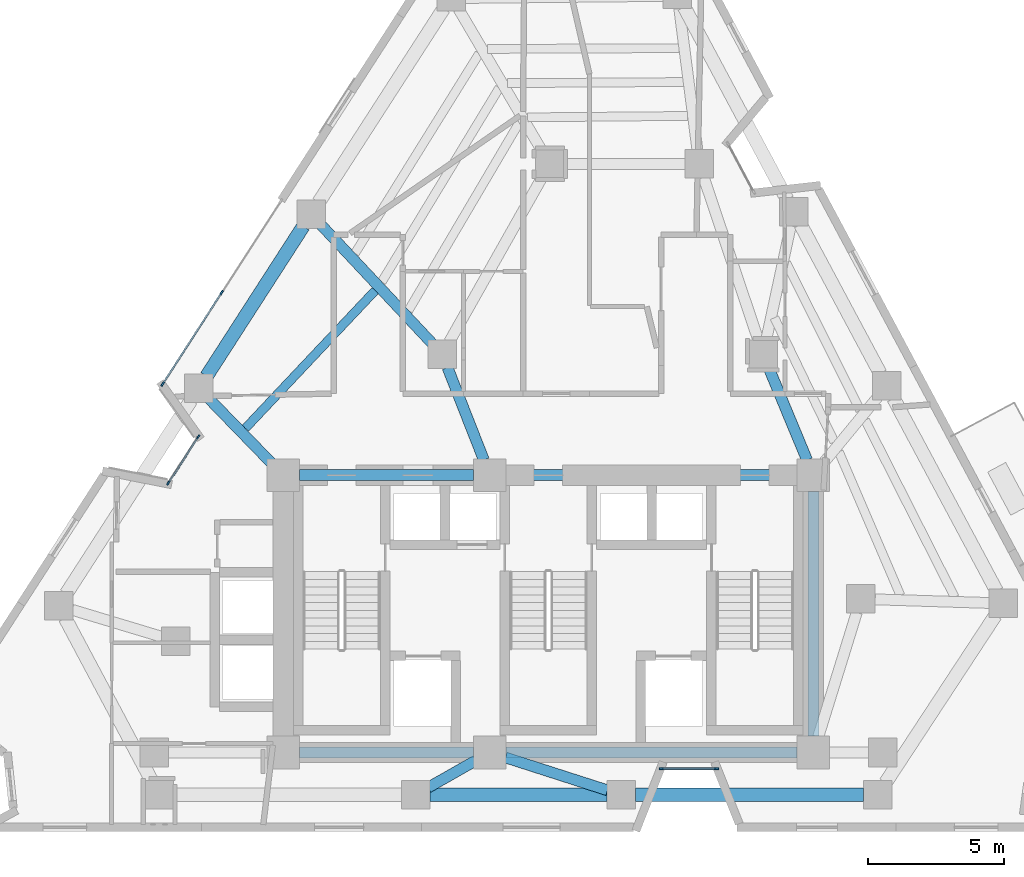
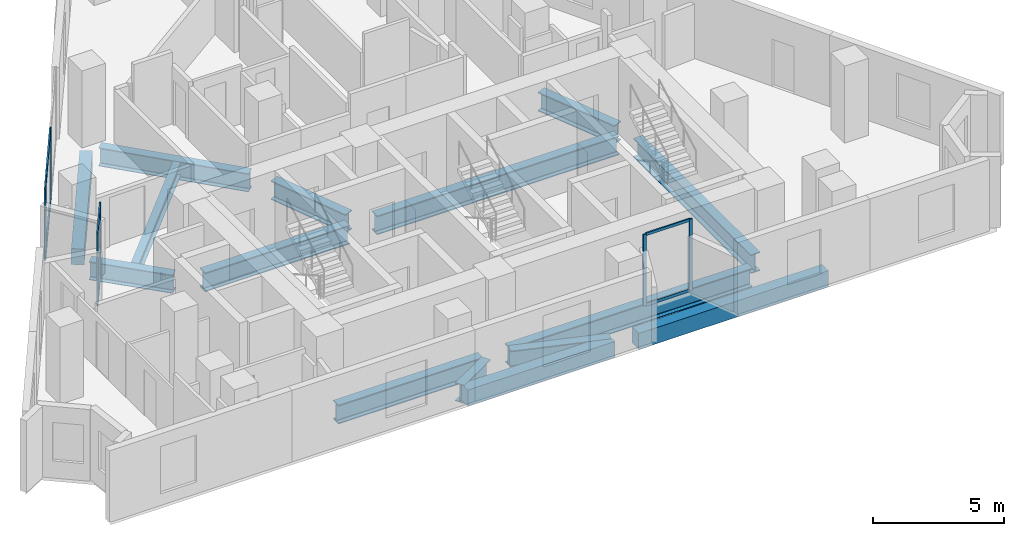
# One storey, part 2 of 11: 15 beams, 12 members, 3 elements without a shape of their own.
"""IFC4 building model written with IfcOpenShell, lengths in metres."""

from ifc_helpers import new_model, si_unit, direction, frame, origin, origin_2d, place, context, subcontext, project, spatial, rectangle, i_section, extrude, material, layer, layer_set, material_profile, profile_set, type_object, element, aggregate, save


model = new_model("IFC4")

# Units and contexts
model_context = context("Model", 3, precision=1e-05, world=origin(), true_north=direction((0.0, 1.0)))
body_context = subcontext(model_context, "Body", "Model", "MODEL_VIEW")
ifc_project = project(units=[si_unit("LENGTHUNIT", "METRE"), si_unit("AREAUNIT", "SQUARE_METRE"), si_unit("VOLUMEUNIT", "CUBIC_METRE"), si_unit("PLANEANGLEUNIT", "RADIAN"), si_unit("MASSUNIT", "GRAM", prefix="KILO")], contexts=[model_context])

# Site, building, storey
site_placement = place(None, origin())
site = spatial("IfcSite", under=ifc_project, at=site_placement, CompositionType="ELEMENT")
building_placement = place(site_placement, origin())
building = spatial("IfcBuilding", under=site, at=building_placement, Name="Almagre Mirador Tower", CompositionType="ELEMENT")
storey_placement = place(building_placement, frame((0.0, 0.0, 189.60009765625)))
storey = spatial("IfcBuildingStorey", under=building, at=storey_placement, Name="L49", CompositionType="ELEMENT", Elevation=189.60009765625)

# Beams
ifc_material_1 = material(Name="Steel ASTM A992 Grade 50", Category="steel")
ifc_material_profile_1 = material_profile(ifc_material_1, i_section(OverallWidth=0.323974609375, OverallDepth=0.611083984375, WebThickness=0.0126953125, FlangeThickness=0.01904296875, FilletRadius=0.02001953125, at=origin_2d()), Name="W24X104")
ifc_profile_set_1 = profile_set([ifc_material_profile_1], Name="Steel ASTM A992 Grade 50")
beam_type_1 = type_object("IfcBeamType", Name="BM-JST-W24X104", PredefinedType="JOIST", material=ifc_profile_set_1)
beam_1_placement = place(storey_placement, frame((30.931396484375, 21.5419921875, -0.5556640625), z_axis=(-0.685923256334, -0.727673887411, 0.0), x_axis=(0.727673887411, -0.685923256334, 0.0)))
element("IfcBeam", 1, at=beam_1_placement, inside=storey, type_object=beam_type_1, Name="L49 secondary floor joist PC10-PC11.2", PredefinedType="JOIST", context=body_context, shape_type="SweptSolid", body=[
    extrude(i_section(OverallWidth=0.323974609375, OverallDepth=0.611083984375, WebThickness=0.0126953125, FlangeThickness=0.01904296875, FilletRadius=0.02001953125, at=origin_2d()), origin(), (0.0, 0.0, 1.0), 6.964599609375),
])
ifc_material_2 = material(Name="Precast concrete C50/60", Category="concrete")
ifc_material_profile_2 = material_profile(ifc_material_2, rectangle(XDim=0.5, YDim=0.75, at=origin_2d()), Name="RC500X750")
ifc_profile_set_2 = profile_set([ifc_material_profile_2], Name="Precast concrete C50/60")
beam_type_2 = type_object("IfcBeamType", Name="BM-SPN-RC500X750", PredefinedType="SPANDREL", material=ifc_profile_set_2)
beam_2_placement = place(storey_placement, frame((32.948974609375, 3.0, -0.625), z_axis=(1.0, 0.0, 0.0), x_axis=(0.0, 1.0, 0.0)))
element("IfcBeam", 2, at=beam_2_placement, inside=storey, type_object=beam_type_2, Name="L49 perimeter spandrel beam PC02-PC03", PredefinedType="SPANDREL", context=body_context, shape_type="SweptSolid", body=[
    extrude(rectangle(XDim=0.5, YDim=0.75, at=origin_2d()), origin(), (0.0, 0.0, 1.0), 6.501953125),
])
beam_3_placement = place(storey_placement, frame((40.5009765625, 3.0, -0.625), z_axis=(1.0, 0.0, 0.0), x_axis=(0.0, 1.0, 0.0)))
element("IfcBeam", 3, at=beam_3_placement, inside=storey, type_object=beam_type_2, Name="L49 perimeter spandrel beam PC03-PC04", PredefinedType="SPANDREL", context=body_context, shape_type="SweptSolid", body=[
    extrude(rectangle(XDim=0.5, YDim=0.75, at=origin_2d()), origin(), (0.0, 0.0, 1.0), 8.39013671875),
])
beam_4_placement = place(storey_placement, frame((28.287353515625, 23.90869140625, -0.625), z_axis=(-0.542031160538, -0.840358388431, 0.0), x_axis=(0.840358388431, -0.542031160538, 0.0)))
element("IfcBeam", 4, at=beam_4_placement, inside=storey, type_object=beam_type_2, Name="L49 perimeter spandrel beam PC10-PC11", PredefinedType="SPANDREL", context=body_context, shape_type="SweptSolid", body=[
    extrude(rectangle(XDim=0.5, YDim=0.75, at=origin_2d()), origin(), (0.0, 0.0, 1.0), 6.565673828125),
])
ifc_material_3 = material(Name="Steel ASTM A992 Grade 50", Category="steel")
ifc_material_profile_3 = material_profile(ifc_material_3, i_section(OverallWidth=0.39892578125, OverallDepth=0.85595703125, WebThickness=0.018310546875, FlangeThickness=0.029296875, FilletRadius=0.02490234375, at=origin_2d()), Name="W33X201")
ifc_profile_set_3 = profile_set([ifc_material_profile_3], Name="Steel ASTM A992 Grade 50")
beam_type_3 = type_object("IfcBeamType", Name="BM-STL-W33X201", PredefinedType="BEAM", material=ifc_profile_set_3)
beam_5_placement = place(storey_placement, frame((32.88037109375, 3.259521484375, -0.677978515625), z_axis=(0.869309554044, 0.494268043927, 0.0), x_axis=(-0.494268043927, 0.869309554044, 0.0)))
element("IfcBeam", 5, at=beam_5_placement, inside=storey, type_object=beam_type_3, Name="L49 radial floor girder PC02-CC2", PredefinedType="BEAM", context=body_context, shape_type="SweptSolid", body=[
    extrude(i_section(OverallWidth=0.39892578125, OverallDepth=0.85595703125, WebThickness=0.018310546875, FlangeThickness=0.029296875, FilletRadius=0.02490234375, at=origin_2d()), origin(), (0.0, 0.0, 1.0), 2.0107421875),
])
beam_6_placement = place(storey_placement, frame((39.47607421875, 3.160400390625, -0.677978515625), z_axis=(-0.952092949621, 0.30580878876, 0.0), x_axis=(-0.30580878876, -0.952092949621, 0.0)))
element("IfcBeam", 6, at=beam_6_placement, inside=storey, type_object=beam_type_3, Name="L49 radial floor girder PC03-CC2", PredefinedType="BEAM", context=body_context, shape_type="SweptSolid", body=[
    extrude(i_section(OverallWidth=0.39892578125, OverallDepth=0.85595703125, WebThickness=0.018310546875, FlangeThickness=0.029296875, FilletRadius=0.02490234375, at=origin_2d()), origin(), (0.0, 0.0, 1.0), 3.94384765625),
])
beam_7_placement = place(storey_placement, frame((28.93115234375, 23.967041015625, -0.677978515625), z_axis=(0.683926262896, -0.729551140717, 0.0), x_axis=(0.729551140717, 0.683926262896, 0.0)))
element("IfcBeam", 7, at=beam_7_placement, inside=storey, type_object=beam_type_3, Name="L49 radial floor girder PC10-MC8", PredefinedType="BEAM", context=body_context, shape_type="SweptSolid", body=[
    extrude(i_section(OverallWidth=0.39892578125, OverallDepth=0.85595703125, WebThickness=0.018310546875, FlangeThickness=0.029296875, FilletRadius=0.02490234375, at=origin_2d()), origin(), (0.0, 0.0, 1.0), 6.00927734375),
])
beam_8_placement = place(storey_placement, frame((24.809814453125, 17.5732421875, -0.677978515625), z_axis=(0.69644765499, -0.717607597409, 0.0), x_axis=(0.717607597409, 0.69644765499, 0.0)))
element("IfcBeam", 8, at=beam_8_placement, inside=storey, type_object=beam_type_3, Name="L49 radial floor girder PC11-CC4", PredefinedType="BEAM", context=body_context, shape_type="SweptSolid", body=[
    extrude(i_section(OverallWidth=0.39892578125, OverallDepth=0.85595703125, WebThickness=0.018310546875, FlangeThickness=0.029296875, FilletRadius=0.02490234375, at=origin_2d()), origin(), (0.0, 0.0, 1.0), 3.33447265625),
])
ifc_material_4 = material(Name="Steel ASTM A992 Grade 50", Category="steel")
ifc_material_profile_4 = material_profile(ifc_material_4, i_section(OverallWidth=0.404052734375, OverallDepth=0.884033203125, WebThickness=0.0244140625, FlangeThickness=0.0439453125, FilletRadius=0.02490234375, at=origin_2d()), Name="W33X291")
ifc_profile_set_4 = profile_set([ifc_material_profile_4], Name="Steel ASTM A992 Grade 50")
beam_type_4 = type_object("IfcBeamType", Name="BM-STL-W33X291", PredefinedType="BEAM", material=ifc_profile_set_4)
beam_9_placement = place(storey_placement, frame((28.14990234375, 4.550048828125, -0.692138671875), z_axis=(1.0, 0.0, 0.0), x_axis=(0.0, 1.0, 0.0)))
element("IfcBeam", 9, at=beam_9_placement, inside=storey, type_object=beam_type_4, Name="L49 core tie girder CC1-CC2", PredefinedType="BEAM", context=body_context, shape_type="SweptSolid", body=[
    extrude(i_section(OverallWidth=0.404052734375, OverallDepth=0.884033203125, WebThickness=0.0244140625, FlangeThickness=0.0439453125, FilletRadius=0.02490234375, at=origin_2d()), origin(), (0.0, 0.0, 1.0), 6.400146484375),
])
beam_10_placement = place(storey_placement, frame((35.75, 4.550048828125, -0.692138671875), z_axis=(1.0, 0.0, 0.0), x_axis=(0.0, 1.0, 0.0)))
element("IfcBeam", 10, at=beam_10_placement, inside=storey, type_object=beam_type_4, Name="L49 core tie girder CC2-CC3", PredefinedType="BEAM", context=body_context, shape_type="SweptSolid", body=[
    extrude(i_section(OverallWidth=0.404052734375, OverallDepth=0.884033203125, WebThickness=0.0244140625, FlangeThickness=0.0439453125, FilletRadius=0.02490234375, at=origin_2d()), origin(), (0.0, 0.0, 1.0), 10.699951171875),
])
beam_11_placement = place(storey_placement, frame((28.14990234375, 14.75, -0.692138671875), z_axis=(1.0, 0.0, 0.0), x_axis=(0.0, 1.0, 0.0)))
element("IfcBeam", 11, at=beam_11_placement, inside=storey, type_object=beam_type_4, Name="L49 core tie girder CC4-CC5", PredefinedType="BEAM", context=body_context, shape_type="SweptSolid", body=[
    extrude(i_section(OverallWidth=0.404052734375, OverallDepth=0.884033203125, WebThickness=0.0244140625, FlangeThickness=0.0439453125, FilletRadius=0.02490234375, at=origin_2d()), origin(), (0.0, 0.0, 1.0), 6.400146484375),
])
beam_12_placement = place(storey_placement, frame((35.75, 14.75, -0.692138671875), z_axis=(1.0, 0.0, 0.0), x_axis=(0.0, 1.0, 0.0)))
element("IfcBeam", 12, at=beam_12_placement, inside=storey, type_object=beam_type_4, Name="L49 core tie girder CC5-CC6", PredefinedType="BEAM", context=body_context, shape_type="SweptSolid", body=[
    extrude(i_section(OverallWidth=0.404052734375, OverallDepth=0.884033203125, WebThickness=0.0244140625, FlangeThickness=0.0439453125, FilletRadius=0.02490234375, at=origin_2d()), origin(), (0.0, 0.0, 1.0), 10.699951171875),
])
beam_13_placement = place(storey_placement, frame((47.050048828125, 5.14990234375, -0.692138671875), z_axis=(0.0, 1.0, 0.0), x_axis=(-1.0, 0.0, 0.0)))
element("IfcBeam", 13, at=beam_13_placement, inside=storey, type_object=beam_type_4, Name="L49 core tie girder CC3-CC6", PredefinedType="BEAM", context=body_context, shape_type="SweptSolid", body=[
    extrude(i_section(OverallWidth=0.404052734375, OverallDepth=0.884033203125, WebThickness=0.0244140625, FlangeThickness=0.0439453125, FilletRadius=0.02490234375, at=origin_2d()), origin(), (0.0, 0.0, 1.0), 9.0),
])
beam_14_placement = place(storey_placement, frame((45.401611328125, 18.715087890625, -0.692138671875), z_axis=(0.383845645019, -0.923397271384, 0.0), x_axis=(0.923397271384, 0.383845645019, 0.0)))
element("IfcBeam", 14, at=beam_14_placement, inside=storey, type_object=beam_type_4, Name="L49 core tie girder MC5-CC6", PredefinedType="BEAM", context=body_context, shape_type="SweptSolid", body=[
    extrude(i_section(OverallWidth=0.404052734375, OverallDepth=0.884033203125, WebThickness=0.0244140625, FlangeThickness=0.0439453125, FilletRadius=0.02490234375, at=origin_2d()), origin(), (0.0, 0.0, 1.0), 3.694091796875),
])
beam_15_placement = place(storey_placement, frame((33.592041015625, 18.71142578125, -0.692138671875), z_axis=(0.365997304164, -0.930615910752, 0.0), x_axis=(0.930615910752, 0.365997304164, 0.0)))
element("IfcBeam", 15, at=beam_15_placement, inside=storey, type_object=beam_type_4, Name="L49 core tie girder MC8-CC5", PredefinedType="BEAM", context=body_context, shape_type="SweptSolid", body=[
    extrude(i_section(OverallWidth=0.404052734375, OverallDepth=0.884033203125, WebThickness=0.0244140625, FlangeThickness=0.0439453125, FilletRadius=0.02490234375, at=origin_2d()), origin(), (0.0, 0.0, 1.0), 3.65673828125),
])

# Curtain wall, members
ifc_material_5 = material(Name="Black anodized aluminium", Category="aluminium")
ifc_layer_1 = layer(ifc_material_5, 0.169921875)
ifc_layer_set_1 = layer_set([ifc_layer_1], Name="Black anodized aluminium")
curtain_wall_type_1 = type_object("IfcCurtainWallType", Name="CW-CRS-SYS", PredefinedType="NOTDEFINED", material=ifc_layer_set_1)
curtain_wall_1_placement = place(storey_placement, origin())
curtain_wall_1 = element("IfcCurtainWall", 16, at=curtain_wall_1_placement, inside=storey, type_object=curtain_wall_type_1, Name="L49 vertical crease curtain wall 01", PredefinedType="NOTDEFINED")
ifc_material_6 = material(Name="Black anodized aluminium", Category="aluminium")
ifc_material_profile_5 = material_profile(ifc_material_6, rectangle(XDim=0.06005859375, YDim=0.14990234375, at=origin_2d()), Name="CWM60X150")
ifc_profile_set_5 = profile_set([ifc_material_profile_5], Name="Black anodized aluminium")
member_type_1 = type_object("IfcMemberType", Name="MBR-CWM60X150", PredefinedType="MULLION", material=ifc_profile_set_5)
member_1_placement = place(storey_placement, frame((23.322265625, 14.457275390625, 0.0), z_axis=(0.0, 0.0, 1.0), x_axis=(-0.840275552061, 0.542159567478, 0.0)))
member_1 = element("IfcMember", 17, at=member_1_placement, type_object=member_type_1, Name="CW-4 mullion 1", PredefinedType="MULLION", context=body_context, shape_type="SweptSolid", body=[
    extrude(rectangle(XDim=0.06005859375, YDim=0.14990234375, at=origin_2d()), origin(), (0.0, 0.0, 1.0), 3.349853515625),
])
member_2_placement = place(storey_placement, frame((24.4228515625, 16.162841796875, 0.0), z_axis=(0.0, 0.0, 1.0), x_axis=(-0.840275552061, 0.542159567478, 0.0)))
member_2 = element("IfcMember", 18, at=member_2_placement, type_object=member_type_1, Name="CW-4 mullion 2", PredefinedType="MULLION", context=body_context, shape_type="SweptSolid", body=[
    extrude(rectangle(XDim=0.06005859375, YDim=0.14990234375, at=origin_2d()), origin(), (0.0, 0.0, 1.0), 3.349853515625),
])

curtain_wall_2_placement = place(storey_placement, origin())
curtain_wall_2 = element("IfcCurtainWall", 19, at=curtain_wall_2_placement, inside=storey, type_object=curtain_wall_type_1, Name="L49 vertical crease curtain wall 04", PredefinedType="NOTDEFINED")
member_3_placement = place(storey_placement, frame((43.487060546875, 3.949951171875, 0.0), z_axis=(0.0, 0.0, 1.0), x_axis=(0.0, -1.0, 0.0)))
member_3 = element("IfcMember", 20, at=member_3_placement, type_object=member_type_1, Name="CW-4 mullion 1", PredefinedType="MULLION", context=body_context, shape_type="SweptSolid", body=[
    extrude(rectangle(XDim=0.06005859375, YDim=0.14990234375, at=origin_2d()), origin(), (0.0, 0.0, 1.0), 3.349853515625),
])
member_4_placement = place(storey_placement, frame((41.45703125, 3.949951171875, 0.0), z_axis=(0.0, 0.0, 1.0), x_axis=(0.0, -1.0, 0.0)))
member_4 = element("IfcMember", 21, at=member_4_placement, type_object=member_type_1, Name="CW-4 mullion 2", PredefinedType="MULLION", context=body_context, shape_type="SweptSolid", body=[
    extrude(rectangle(XDim=0.06005859375, YDim=0.14990234375, at=origin_2d()), origin(), (0.0, 0.0, 1.0), 3.349853515625),
])

ifc_material_7 = material(Name="Black anodized aluminium", Category="aluminium")
ifc_layer_2 = layer(ifc_material_7, 0.199951171875)
ifc_layer_set_2 = layer_set([ifc_layer_2], Name="Black anodized aluminium")
curtain_wall_type_2 = type_object("IfcCurtainWallType", Name="CW-RES-H-SYS", PredefinedType="NOTDEFINED", material=ifc_layer_set_2)
curtain_wall_3_placement = place(storey_placement, origin())
curtain_wall_3 = element("IfcCurtainWall", 22, at=curtain_wall_3_placement, inside=storey, type_object=curtain_wall_type_2, Name="L49 curtain wall run 02", PredefinedType="NOTDEFINED")
ifc_material_8 = material(Name="Black anodized aluminium", Category="aluminium")
ifc_material_profile_6 = material_profile(ifc_material_8, rectangle(XDim=0.06494140625, YDim=0.179931640625, at=origin_2d()), Name="CWM65X180")
ifc_profile_set_6 = profile_set([ifc_material_profile_6], Name="Black anodized aluminium")
member_type_2 = type_object("IfcMemberType", Name="MBR-CWM65X180", PredefinedType="MULLION", material=ifc_profile_set_6)
member_5_placement = place(storey_placement, frame((23.113525390625, 18.099365234375, 0.0), z_axis=(0.0, 0.0, 1.0), x_axis=(-0.8403699469, 0.542013240011, 0.0)))
member_5 = element("IfcMember", 23, at=member_5_placement, type_object=member_type_2, Name="CW-3 mullion 1", PredefinedType="MULLION", context=body_context, shape_type="SweptSolid", body=[
    extrude(rectangle(XDim=0.06494140625, YDim=0.179931640625, at=origin_2d()), origin(), (0.0, 0.0, 1.0), 3.349853515625),
])
member_6_placement = place(storey_placement, frame((25.285400390625, 21.466552734375, 0.0), z_axis=(0.0, 0.0, 1.0), x_axis=(-0.8403699469, 0.542013240011, 0.0)))
member_6 = element("IfcMember", 24, at=member_6_placement, type_object=member_type_2, Name="CW-3 mullion 2", PredefinedType="MULLION", context=body_context, shape_type="SweptSolid", body=[
    extrude(rectangle(XDim=0.06494140625, YDim=0.179931640625, at=origin_2d()), origin(), (0.0, 0.0, 1.0), 3.349853515625),
])

# Member
ifc_material_9 = material(Name="Black anodized aluminium", Category="aluminium")
ifc_material_profile_7 = material_profile(ifc_material_9, rectangle(XDim=0.06005859375, YDim=0.1298828125, at=origin_2d()), Name="CWT60X130")
ifc_profile_set_7 = profile_set([ifc_material_profile_7], Name="Black anodized aluminium")
member_type_3 = type_object("IfcMemberType", Name="MBR-CWT60X130", PredefinedType="USERDEFINED", material=ifc_profile_set_7)
member_7_placement = place(storey_placement, frame((23.338623046875, 14.482421875, 0.02978515625), z_axis=(0.542109931662, 0.840307575828, 0.0), x_axis=(-0.840307575828, 0.542109931662, 0.0)))
member_7 = element("IfcMember", 25, at=member_7_placement, type_object=member_type_3, Name="CW-4 transom 1.1", ObjectType="TRANSOM", PredefinedType="USERDEFINED", context=body_context, shape_type="SweptSolid", body=[
    extrude(rectangle(XDim=0.06005859375, YDim=0.1298828125, at=origin_2d()), origin(), (0.0, 0.0, 1.0), 1.9697265625),
])

member_8_placement = place(storey_placement, frame((23.338623046875, 14.482421875, 3.31982421875), z_axis=(0.542109931662, 0.840307575828, 0.0), x_axis=(-0.840307575828, 0.542109931662, 0.0)))
member_8 = element("IfcMember", 26, at=member_8_placement, type_object=member_type_3, Name="CW-4 transom 1.2", ObjectType="TRANSOM", PredefinedType="USERDEFINED", context=body_context, shape_type="SweptSolid", body=[
    extrude(rectangle(XDim=0.06005859375, YDim=0.1298828125, at=origin_2d()), origin(), (0.0, 0.0, 1.0), 1.9697265625),
])

aggregate(curtain_wall_1, [member_1, member_2, member_7, member_8])

member_9_placement = place(storey_placement, frame((43.45703125, 3.949951171875, 0.02978515625), z_axis=(-1.0, 0.0, 0.0), x_axis=(0.0, -1.0, 0.0)))
member_9 = element("IfcMember", 27, at=member_9_placement, type_object=member_type_3, Name="CW-4 transom 1.1", ObjectType="TRANSOM", PredefinedType="USERDEFINED", context=body_context, shape_type="SweptSolid", body=[
    extrude(rectangle(XDim=0.06005859375, YDim=0.1298828125, at=origin_2d()), origin(), (0.0, 0.0, 1.0), 1.969970703125),
])

member_10_placement = place(storey_placement, frame((43.45703125, 3.949951171875, 3.31982421875), z_axis=(-1.0, 0.0, 0.0), x_axis=(0.0, -1.0, 0.0)))
member_10 = element("IfcMember", 28, at=member_10_placement, type_object=member_type_3, Name="CW-4 transom 1.2", ObjectType="TRANSOM", PredefinedType="USERDEFINED", context=body_context, shape_type="SweptSolid", body=[
    extrude(rectangle(XDim=0.06005859375, YDim=0.1298828125, at=origin_2d()), origin(), (0.0, 0.0, 1.0), 1.969970703125),
])

aggregate(curtain_wall_2, [member_3, member_4, member_9, member_10])

ifc_material_10 = material(Name="Black anodized aluminium", Category="aluminium")
ifc_material_profile_8 = material_profile(ifc_material_10, rectangle(XDim=0.06494140625, YDim=0.14990234375, at=origin_2d()), Name="CWT65X150")
ifc_profile_set_8 = profile_set([ifc_material_profile_8], Name="Black anodized aluminium")
member_type_4 = type_object("IfcMemberType", Name="MBR-CWT65X150", PredefinedType="USERDEFINED", material=ifc_profile_set_8)
member_11_placement = place(storey_placement, frame((23.13134765625, 18.126708984375, 0.032470703125), z_axis=(0.542015413888, 0.840368544811, 0.0), x_axis=(-0.840368544811, 0.542015413888, 0.0)))
member_11 = element("IfcMember", 29, at=member_11_placement, type_object=member_type_4, Name="CW-3 transom 1.1", ObjectType="TRANSOM", PredefinedType="USERDEFINED", context=body_context, shape_type="SweptSolid", body=[
    extrude(rectangle(XDim=0.06494140625, YDim=0.14990234375, at=origin_2d()), origin(), (0.0, 0.0, 1.0), 3.941650390625),
])

member_12_placement = place(storey_placement, frame((23.13134765625, 18.126708984375, 3.3173828125), z_axis=(0.542015413888, 0.840368544811, 0.0), x_axis=(-0.840368544811, 0.542015413888, 0.0)))
member_12 = element("IfcMember", 30, at=member_12_placement, type_object=member_type_4, Name="CW-3 transom 1.2", ObjectType="TRANSOM", PredefinedType="USERDEFINED", context=body_context, shape_type="SweptSolid", body=[
    extrude(rectangle(XDim=0.06494140625, YDim=0.14990234375, at=origin_2d()), origin(), (0.0, 0.0, 1.0), 3.941650390625),
])

aggregate(curtain_wall_3, [member_5, member_6, member_11, member_12])

save(model, "model.ifc")
